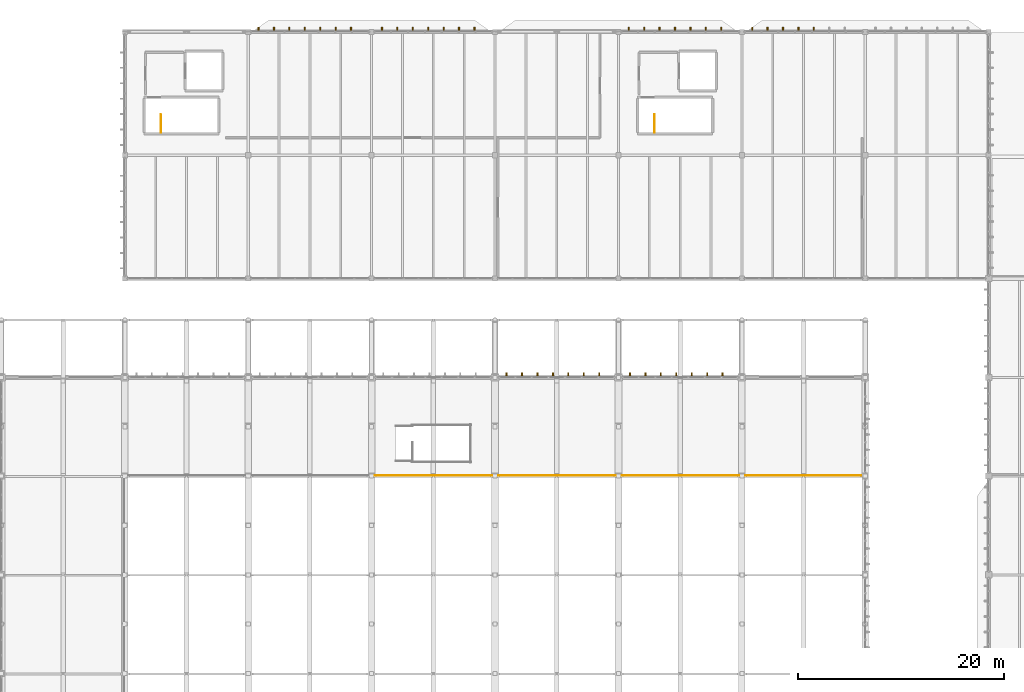
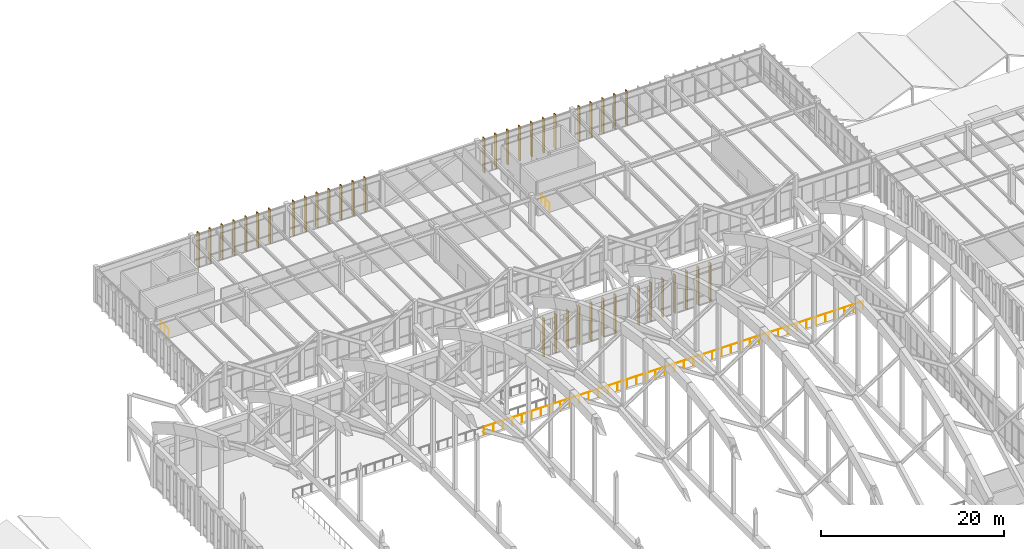
# One storey, part 229 of 236: 40 shading devices, 4 railings.
"""IFC4 building model written with IfcOpenShell, lengths in metres."""

from ifc_helpers import new_model, si_unit, direction, frame, origin, origin_2d, place, context, subcontext, project, spatial, rectangle, circle, extrude, material, type_object, element, save


model = new_model("IFC4")

# Units and contexts
model_context = context("Model", 3, precision=1e-05, world=origin(), true_north=direction((0.0, 1.0)))
body_context = subcontext(model_context, "Body", "Model", "MODEL_VIEW")
ifc_project = project(units=[si_unit("LENGTHUNIT", "METRE"), si_unit("AREAUNIT", "SQUARE_METRE"), si_unit("VOLUMEUNIT", "CUBIC_METRE"), si_unit("PLANEANGLEUNIT", "RADIAN"), si_unit("MASSUNIT", "GRAM", prefix="KILO")], contexts=[model_context])

# Site, building, storey
site_placement = place(None, origin())
site = spatial("IfcSite", under=ifc_project, at=site_placement, CompositionType="ELEMENT")
building_placement = place(site_placement, origin())
building = spatial("IfcBuilding", under=site, at=building_placement, Name="Pandanus Reach Market Hall", CompositionType="ELEMENT")
storey_placement = place(building_placement, frame((0.0, 0.0, 5.39990234375)))
storey = spatial("IfcBuildingStorey", under=building, at=storey_placement, Name="L01", CompositionType="ELEMENT", Elevation=5.39990234375)

# Shading devices
ifc_material_1 = material(Name="Precast concrete S50 (50 MPa)", Category="concrete")
shading_device_type = type_object("IfcShadingDeviceType", Name="FN-S50-450", PredefinedType="JALOUSIE", material=ifc_material_1)
for number, where, z_axis, x_axis, name in (
    (1, (97.125, 86.6201171875, -0.010009765625), (0.0, 0.0, 1.0), (0.0, 1.0, 0.0), "Precast brise-soleil fin 43"),
    (2, (98.625, 86.6201171875, -0.010009765625), (0.0, 0.0, 1.0), (0.0, 1.0, 0.0), "Precast brise-soleil fin 44"),
    (3, (100.125, 86.6201171875, -0.010009765625), (0.0, 0.0, 1.0), (0.0, 1.0, 0.0), "Precast brise-soleil fin 45"),
    (4, (101.625, 86.6201171875, -0.010009765625), (0.0, 0.0, 1.0), (0.0, 1.0, 0.0), "Precast brise-soleil fin 46"),
    (5, (103.125, 86.6201171875, -0.010009765625), (0.0, 0.0, 1.0), (0.0, 1.0, 0.0), "Precast brise-soleil fin 47"),
    (6, (104.625, 86.6201171875, -0.010009765625), (0.0, 0.0, 1.0), (0.0, 1.0, 0.0), "Precast brise-soleil fin 48"),
    (7, (106.125, 86.6201171875, -0.010009765625), (0.0, 0.0, 1.0), (0.0, 1.0, 0.0), "Precast brise-soleil fin 49"),
    (8, (109.125, 86.6201171875, -0.010009765625), (0.0, 0.0, 1.0), (0.0, 1.0, 0.0), "Precast brise-soleil fin 50"),
    (9, (110.625, 86.6201171875, -0.010009765625), (0.0, 0.0, 1.0), (0.0, 1.0, 0.0), "Precast brise-soleil fin 51"),
    (10, (112.125, 86.6201171875, -0.010009765625), (0.0, 0.0, 1.0), (0.0, 1.0, 0.0), "Precast brise-soleil fin 52"),
    (11, (113.625, 86.6201171875, -0.010009765625), (0.0, 0.0, 1.0), (0.0, 1.0, 0.0), "Precast brise-soleil fin 53"),
    (12, (115.125, 86.6201171875, -0.010009765625), (0.0, 0.0, 1.0), (0.0, 1.0, 0.0), "Precast brise-soleil fin 54"),
    (13, (116.625, 86.6201171875, -0.010009765625), (0.0, 0.0, 1.0), (0.0, 1.0, 0.0), "Precast brise-soleil fin 55"),
    (14, (118.125, 86.6201171875, -0.010009765625), (0.0, 0.0, 1.0), (0.0, 1.0, 0.0), "Precast brise-soleil fin 56"),
):
    element("IfcShadingDevice", number, at=place(storey_placement, frame(where, z_axis=z_axis, x_axis=x_axis)), inside=storey, type_object=shading_device_type, Name=name, PredefinedType="JALOUSIE", context=body_context, shape_type="SweptSolid", body=[
        extrude(rectangle(XDim=0.449951171875, YDim=0.1201171875, at=origin_2d()), origin(), (0.0, 0.0, 1.0), 5.1201171875),
    ])
for number, where, z_axis, x_axis, name in (
    (15, (73.0, 120.219970703125, -0.009765625), (0.0, 0.0, 1.0), (0.0, 1.0, 0.0), "Precast brise-soleil fin 605"),
    (16, (74.5, 120.219970703125, -0.009765625), (0.0, 0.0, 1.0), (0.0, 1.0, 0.0), "Precast brise-soleil fin 606"),
    (17, (76.0, 120.219970703125, -0.009765625), (0.0, 0.0, 1.0), (0.0, 1.0, 0.0), "Precast brise-soleil fin 607"),
    (18, (77.5, 120.219970703125, -0.009765625), (0.0, 0.0, 1.0), (0.0, 1.0, 0.0), "Precast brise-soleil fin 608"),
    (19, (79.0, 120.219970703125, -0.009765625), (0.0, 0.0, 1.0), (0.0, 1.0, 0.0), "Precast brise-soleil fin 609"),
    (20, (80.5, 120.219970703125, -0.009765625), (0.0, 0.0, 1.0), (0.0, 1.0, 0.0), "Precast brise-soleil fin 610"),
    (21, (82.0, 120.219970703125, -0.009765625), (0.0, 0.0, 1.0), (0.0, 1.0, 0.0), "Precast brise-soleil fin 611"),
    (22, (85.0, 120.219970703125, -0.009765625), (0.0, 0.0, 1.0), (0.0, 1.0, 0.0), "Precast brise-soleil fin 612"),
    (23, (86.5, 120.219970703125, -0.009765625), (0.0, 0.0, 1.0), (0.0, 1.0, 0.0), "Precast brise-soleil fin 613"),
    (24, (88.0, 120.219970703125, -0.009765625), (0.0, 0.0, 1.0), (0.0, 1.0, 0.0), "Precast brise-soleil fin 614"),
    (25, (89.5, 120.219970703125, -0.009765625), (0.0, 0.0, 1.0), (0.0, 1.0, 0.0), "Precast brise-soleil fin 615"),
    (26, (91.0, 120.219970703125, -0.009765625), (0.0, 0.0, 1.0), (0.0, 1.0, 0.0), "Precast brise-soleil fin 616"),
    (27, (92.5, 120.219970703125, -0.009765625), (0.0, 0.0, 1.0), (0.0, 1.0, 0.0), "Precast brise-soleil fin 617"),
    (28, (94.0, 120.219970703125, -0.009765625), (0.0, 0.0, 1.0), (0.0, 1.0, 0.0), "Precast brise-soleil fin 618"),
    (29, (109.0, 120.219970703125, -0.009765625), (0.0, 0.0, 1.0), (0.0, 1.0, 0.0), "Precast brise-soleil fin 619"),
    (30, (110.5, 120.219970703125, -0.009765625), (0.0, 0.0, 1.0), (0.0, 1.0, 0.0), "Precast brise-soleil fin 620"),
    (31, (112.0, 120.219970703125, -0.009765625), (0.0, 0.0, 1.0), (0.0, 1.0, 0.0), "Precast brise-soleil fin 621"),
    (32, (113.5, 120.219970703125, -0.009765625), (0.0, 0.0, 1.0), (0.0, 1.0, 0.0), "Precast brise-soleil fin 622"),
    (33, (115.0, 120.219970703125, -0.009765625), (0.0, 0.0, 1.0), (0.0, 1.0, 0.0), "Precast brise-soleil fin 623"),
    (34, (116.5, 120.219970703125, -0.009765625), (0.0, 0.0, 1.0), (0.0, 1.0, 0.0), "Precast brise-soleil fin 624"),
    (35, (118.0, 120.219970703125, -0.009765625), (0.0, 0.0, 1.0), (0.0, 1.0, 0.0), "Precast brise-soleil fin 625"),
    (36, (121.0, 120.219970703125, -0.009765625), (0.0, 0.0, 1.0), (0.0, 1.0, 0.0), "Precast brise-soleil fin 626"),
    (37, (122.5, 120.219970703125, -0.009765625), (0.0, 0.0, 1.0), (0.0, 1.0, 0.0), "Precast brise-soleil fin 627"),
    (38, (124.0, 120.219970703125, -0.009765625), (0.0, 0.0, 1.0), (0.0, 1.0, 0.0), "Precast brise-soleil fin 628"),
    (39, (125.5, 120.219970703125, -0.009765625), (0.0, 0.0, 1.0), (0.0, 1.0, 0.0), "Precast brise-soleil fin 629"),
    (40, (127.0, 120.219970703125, -0.009765625), (0.0, 0.0, 1.0), (0.0, 1.0, 0.0), "Precast brise-soleil fin 630"),
):
    element("IfcShadingDevice", number, at=place(storey_placement, frame(where, z_axis=z_axis, x_axis=x_axis)), inside=storey, type_object=shading_device_type, Name=name, PredefinedType="JALOUSIE", context=body_context, shape_type="SweptSolid", body=[
        extrude(rectangle(XDim=0.449951171875, YDim=0.1201171875, at=origin_2d()), origin(), (0.0, 0.0, 1.0), 4.570068359375),
    ])

# Railings
ifc_material_2 = material(Name="Galvanised steel Grade 350 (350 MPa)", Category="steel")
railing_type = type_object("IfcRailingType", Name="GR-INT-110", PredefinedType="GUARDRAIL", material=ifc_material_2)
for number, where, name in (
    (41, (63.5, 110.199951171875, 0.0), "Stair well top guard ST-05.119"),
    (42, (111.5, 110.199951171875, 0.0), "Stair well top guard ST-06.132"),
):
    element("IfcRailing", number, at=place(storey_placement, frame(where)), inside=storey, type_object=railing_type, Name=name, PredefinedType="GUARDRAIL", context=body_context, shape_type="SweptSolid", body=[
        extrude(circle(Radius=0.02392578125, at=origin_2d()), frame((0.0, 0.0, 1.076171875), z_axis=(0.0, 1.0, 0.0), x_axis=(-1.0, 0.0, 0.0)), (0.0, 0.0, 1.0), 1.75),
        extrude(circle(Radius=0.02099609375, at=origin_2d()), origin(), (0.0, 0.0, 1.0), 1.052001953125),
        extrude(circle(Radius=0.02099609375, at=origin_2d()), frame((0.0, 0.875, 0.0)), (0.0, 0.0, 1.0), 1.052001953125),
        extrude(circle(Radius=0.02099609375, at=origin_2d()), frame((0.0, 1.75, 0.0)), (0.0, 0.0, 1.0), 1.052001953125),
    ])
railing_1_placement = place(storey_placement, frame((84.0, 76.860107421875, 0.0)))
element("IfcRailing", 43, at=railing_1_placement, inside=storey, type_object=railing_type, Name="Market hall mezzanine balustrade 218", PredefinedType="GUARDRAIL", context=body_context, shape_type="SweptSolid", body=[
    extrude(circle(Radius=0.02392578125, at=origin_2d()), frame((0.0, 0.0, 1.076171875), z_axis=(1.0, 0.0, 0.0), x_axis=(0.0, 1.0, 0.0)), (0.0, 0.0, 1.0), 24.0),
    extrude(circle(Radius=0.02099609375, at=origin_2d()), origin(), (0.0, 0.0, 1.0), 1.052001953125),
    extrude(circle(Radius=0.02099609375, at=origin_2d()), frame((1.199951171875, 0.0, 0.0)), (0.0, 0.0, 1.0), 1.052001953125),
    extrude(circle(Radius=0.02099609375, at=origin_2d()), frame((2.39990234375, 0.0, 0.0)), (0.0, 0.0, 1.0), 1.052001953125),
    extrude(circle(Radius=0.02099609375, at=origin_2d()), frame((3.60009765625, 0.0, 0.0)), (0.0, 0.0, 1.0), 1.052001953125),
    extrude(circle(Radius=0.02099609375, at=origin_2d()), frame((4.800048828125, 0.0, 0.0)), (0.0, 0.0, 1.0), 1.052001953125),
    extrude(circle(Radius=0.02099609375, at=origin_2d()), frame((6.0, 0.0, 0.0)), (0.0, 0.0, 1.0), 1.052001953125),
    extrude(circle(Radius=0.02099609375, at=origin_2d()), frame((7.199951171875, 0.0, 0.0)), (0.0, 0.0, 1.0), 1.052001953125),
    extrude(circle(Radius=0.02099609375, at=origin_2d()), frame((8.39990234375, 0.0, 0.0)), (0.0, 0.0, 1.0), 1.052001953125),
    extrude(circle(Radius=0.02099609375, at=origin_2d()), frame((9.60009765625, 0.0, 0.0)), (0.0, 0.0, 1.0), 1.052001953125),
    extrude(circle(Radius=0.02099609375, at=origin_2d()), frame((10.800048828125, 0.0, 0.0)), (0.0, 0.0, 1.0), 1.052001953125),
    extrude(circle(Radius=0.02099609375, at=origin_2d()), frame((12.0, 0.0, 0.0)), (0.0, 0.0, 1.0), 1.052001953125),
    extrude(circle(Radius=0.02099609375, at=origin_2d()), frame((13.199951171875, 0.0, 0.0)), (0.0, 0.0, 1.0), 1.052001953125),
    extrude(circle(Radius=0.02099609375, at=origin_2d()), frame((14.39990234375, 0.0, 0.0)), (0.0, 0.0, 1.0), 1.052001953125),
    extrude(circle(Radius=0.02099609375, at=origin_2d()), frame((15.60009765625, 0.0, 0.0)), (0.0, 0.0, 1.0), 1.052001953125),
    extrude(circle(Radius=0.02099609375, at=origin_2d()), frame((16.800048828125, 0.0, 0.0)), (0.0, 0.0, 1.0), 1.052001953125),
    extrude(circle(Radius=0.02099609375, at=origin_2d()), frame((18.0, 0.0, 0.0)), (0.0, 0.0, 1.0), 1.052001953125),
    extrude(circle(Radius=0.02099609375, at=origin_2d()), frame((19.199951171875, 0.0, 0.0)), (0.0, 0.0, 1.0), 1.052001953125),
    extrude(circle(Radius=0.02099609375, at=origin_2d()), frame((20.39990234375, 0.0, 0.0)), (0.0, 0.0, 1.0), 1.052001953125),
    extrude(circle(Radius=0.02099609375, at=origin_2d()), frame((21.60009765625, 0.0, 0.0)), (0.0, 0.0, 1.0), 1.052001953125),
    extrude(circle(Radius=0.02099609375, at=origin_2d()), frame((22.800048828125, 0.0, 0.0)), (0.0, 0.0, 1.0), 1.052001953125),
    extrude(circle(Radius=0.02099609375, at=origin_2d()), frame((24.0, 0.0, 0.0)), (0.0, 0.0, 1.0), 1.052001953125),
])
railing_2_placement = place(storey_placement, frame((108.0, 76.860107421875, 0.0)))
element("IfcRailing", 44, at=railing_2_placement, inside=storey, type_object=railing_type, Name="Market hall mezzanine balustrade 219", PredefinedType="GUARDRAIL", context=body_context, shape_type="SweptSolid", body=[
    extrude(circle(Radius=0.02392578125, at=origin_2d()), frame((0.0, 0.0, 1.076171875), z_axis=(1.0, 0.0, 0.0), x_axis=(0.0, 1.0, 0.0)), (0.0, 0.0, 1.0), 23.800048828125),
    extrude(circle(Radius=0.02099609375, at=origin_2d()), origin(), (0.0, 0.0, 1.0), 1.052001953125),
    extrude(circle(Radius=0.02099609375, at=origin_2d()), frame((1.18994140625, 0.0, 0.0)), (0.0, 0.0, 1.0), 1.052001953125),
    extrude(circle(Radius=0.02099609375, at=origin_2d()), frame((2.3798828125, 0.0, 0.0)), (0.0, 0.0, 1.0), 1.052001953125),
    extrude(circle(Radius=0.02099609375, at=origin_2d()), frame((3.570068359375, 0.0, 0.0)), (0.0, 0.0, 1.0), 1.052001953125),
    extrude(circle(Radius=0.02099609375, at=origin_2d()), frame((4.760009765625, 0.0, 0.0)), (0.0, 0.0, 1.0), 1.052001953125),
    extrude(circle(Radius=0.02099609375, at=origin_2d()), frame((5.949951171875, 0.0, 0.0)), (0.0, 0.0, 1.0), 1.052001953125),
    extrude(circle(Radius=0.02099609375, at=origin_2d()), frame((7.14013671875, 0.0, 0.0)), (0.0, 0.0, 1.0), 1.052001953125),
    extrude(circle(Radius=0.02099609375, at=origin_2d()), frame((8.330078125, 0.0, 0.0)), (0.0, 0.0, 1.0), 1.052001953125),
    extrude(circle(Radius=0.02099609375, at=origin_2d()), frame((9.52001953125, 0.0, 0.0)), (0.0, 0.0, 1.0), 1.052001953125),
    extrude(circle(Radius=0.02099609375, at=origin_2d()), frame((10.7099609375, 0.0, 0.0)), (0.0, 0.0, 1.0), 1.052001953125),
    extrude(circle(Radius=0.02099609375, at=origin_2d()), frame((11.89990234375, 0.0, 0.0)), (0.0, 0.0, 1.0), 1.052001953125),
    extrude(circle(Radius=0.02099609375, at=origin_2d()), frame((13.090087890625, 0.0, 0.0)), (0.0, 0.0, 1.0), 1.052001953125),
    extrude(circle(Radius=0.02099609375, at=origin_2d()), frame((14.280029296875, 0.0, 0.0)), (0.0, 0.0, 1.0), 1.052001953125),
    extrude(circle(Radius=0.02099609375, at=origin_2d()), frame((15.469970703125, 0.0, 0.0)), (0.0, 0.0, 1.0), 1.052001953125),
    extrude(circle(Radius=0.02099609375, at=origin_2d()), frame((16.66015625, 0.0, 0.0)), (0.0, 0.0, 1.0), 1.052001953125),
    extrude(circle(Radius=0.02099609375, at=origin_2d()), frame((17.85009765625, 0.0, 0.0)), (0.0, 0.0, 1.0), 1.052001953125),
    extrude(circle(Radius=0.02099609375, at=origin_2d()), frame((19.0400390625, 0.0, 0.0)), (0.0, 0.0, 1.0), 1.052001953125),
    extrude(circle(Radius=0.02099609375, at=origin_2d()), frame((20.22998046875, 0.0, 0.0)), (0.0, 0.0, 1.0), 1.052001953125),
    extrude(circle(Radius=0.02099609375, at=origin_2d()), frame((21.419921875, 0.0, 0.0)), (0.0, 0.0, 1.0), 1.052001953125),
    extrude(circle(Radius=0.02099609375, at=origin_2d()), frame((22.610107421875, 0.0, 0.0)), (0.0, 0.0, 1.0), 1.052001953125),
    extrude(circle(Radius=0.02099609375, at=origin_2d()), frame((23.800048828125, 0.0, 0.0)), (0.0, 0.0, 1.0), 1.052001953125),
])

save(model, "model.ifc")
